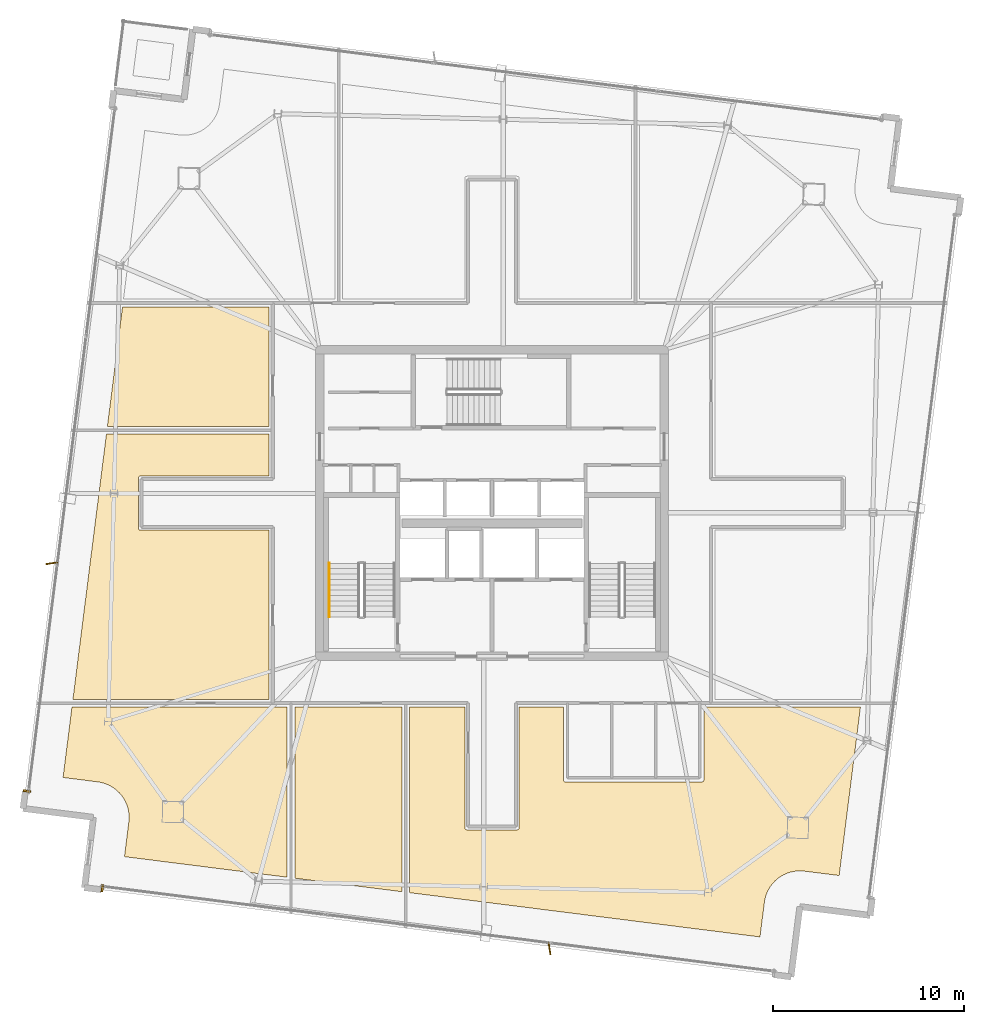
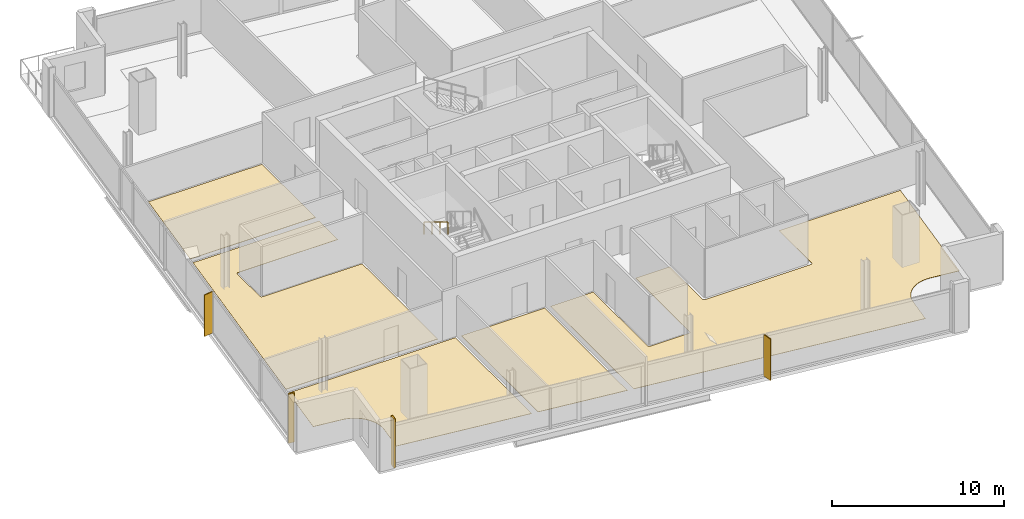
# One storey, part 21 of 23: 7 coverings, 2 shading devices, 1 railing.
"""IFC4 building model written with IfcOpenShell, lengths in metres."""

from ifc_helpers import new_model, si_unit, direction, frame, origin, origin_2d, place, context, subcontext, project, spatial, polyline, rectangle, outline, extrude, source, transform, mapped, material, layer, layer_set, type_object, element, save


model = new_model("IFC4")

# Units and contexts
model_context = context("Model", 3, precision=1e-05, world=origin(), true_north=direction((0.0, 1.0)))
body_context = subcontext(model_context, "Body", "Model", "MODEL_VIEW")
ifc_project = project(units=[si_unit("LENGTHUNIT", "METRE"), si_unit("AREAUNIT", "SQUARE_METRE"), si_unit("VOLUMEUNIT", "CUBIC_METRE"), si_unit("PLANEANGLEUNIT", "RADIAN"), si_unit("MASSUNIT", "GRAM", prefix="KILO")], contexts=[model_context])

# Site, building, storey
site_placement = place(None, origin())
site = spatial("IfcSite", under=ifc_project, at=site_placement, CompositionType="ELEMENT")
building_placement = place(site_placement, origin())
building = spatial("IfcBuilding", under=site, at=building_placement, Name="Haldenkirk Collegiate Tower", CompositionType="ELEMENT")
storey_placement = place(building_placement, frame((0.0, 0.0, 306.449951171875)))
storey = spatial("IfcBuildingStorey", under=building, at=storey_placement, Name="L77", CompositionType="ELEMENT", Elevation=306.449951171875)

# Coverings
ifc_material_1 = material(Name="Polished collegiate terrazzo", Category="concrete")
ifc_layer_1 = layer(ifc_material_1, 0.02490234375)
ifc_layer_set_1 = layer_set([ifc_layer_1], Name="Polished collegiate terrazzo")
covering_type_1 = type_object("IfcCoveringType", Name="COV-FLOOR-TERRAZZO", PredefinedType="FLOORING", material=ifc_layer_set_1)
covering_1_placement = place(storey_placement, origin())
element("IfcCovering", 1, at=covering_1_placement, inside=storey, type_object=covering_type_1, Name="L77 academic room finish 02", PredefinedType="FLOORING", context=body_context, shape_type="SweptSolid", body=[
    extrude(outline(polyline([(25.699951171875, 6.406494140625), (25.699951171875, 15.35009765625), (31.300048828125, 15.35009765625), (31.300048828125, 5.698974609375), (25.699951171875, 6.406494140625)])), origin(), (0.0, 0.0, 1.0), 0.025146484375),
])
covering_2_placement = place(storey_placement, origin())
element("IfcCovering", 2, at=covering_2_placement, inside=storey, type_object=covering_type_1, Name="L77 academic room finish 08", PredefinedType="FLOORING", context=body_context, shape_type="SweptSolid", body=[
    extrude(outline(polyline([(16.702392578125, 36.25), (24.35009765625, 36.25), (24.35009765625, 30.0), (15.912841796875, 30.0), (16.702392578125, 36.25)])), origin(), (0.0, 0.0, 1.0), 0.025146484375),
])
ifc_material_2 = material(Name="Engineered collegiate oak acoustic flooring", Category="wood")
ifc_layer_2 = layer(ifc_material_2, 0.02197265625)
ifc_layer_set_2 = layer_set([ifc_layer_2], Name="Engineered collegiate oak acoustic flooring")
covering_type_2 = type_object("IfcCoveringType", Name="COV-FLOOR-TIMBER", PredefinedType="FLOORING", material=ifc_layer_set_2)
covering_3_placement = place(storey_placement, origin())
element("IfcCovering", 3, at=covering_3_placement, inside=storey, type_object=covering_type_2, Name="L77 academic room finish 01", PredefinedType="FLOORING", context=body_context, shape_type="SweptSolid", body=[
    extrude(outline(polyline([(16.8037109375, 7.5302734375), (17.033203125, 9.345703125), (17.03369140625, 9.3515625), (17.046875, 9.52294921875), (17.047119140625, 9.53466796875), (17.04345703125, 9.706298828125), (17.04248046875, 9.718017578125), (17.022216796875, 9.888671875), (17.020263671875, 9.900146484375), (16.983154296875, 10.06787109375), (16.97998046875, 10.0791015625), (16.926513671875, 10.242431640625), (16.92236328125, 10.25341796875), (16.853271484375, 10.41064453125), (16.847900390625, 10.421142578125), (16.763916015625, 10.57080078125), (16.757568359375, 10.580810546875), (16.658935546875, 10.7216796875), (16.65185546875, 10.73095703125), (16.5400390625, 10.861083984375), (16.531982421875, 10.869873046875), (16.407958984375, 10.988525390625), (16.39892578125, 10.996337890625), (16.263916015625, 11.102294921875), (16.25439453125, 11.109130859375), (16.109619140625, 11.201416015625), (16.099365234375, 11.207275390625), (15.946044921875, 11.284912109375), (15.935302734375, 11.289794921875), (15.775390625, 11.35205078125), (15.76416015625, 11.355712890625), (15.5986328125, 11.402099609375), (15.58740234375, 11.40478515625), (15.418212890625, 11.4345703125), (15.412353515625, 11.435546875), (13.5966796875, 11.664794921875), (14.062255859375, 15.35009765625), (25.300048828125, 15.35009765625), (25.300048828125, 6.456787109375), (16.8037109375, 7.5302734375)])), origin(), (0.0, 0.0, 1.0), 0.02197265625),
])
covering_4_placement = place(storey_placement, origin())
element("IfcCovering", 4, at=covering_4_placement, inside=storey, type_object=covering_type_2, Name="L77 academic room finish 03", PredefinedType="FLOORING", context=body_context, shape_type="SweptSolid", body=[
    extrude(outline(polyline([(51.5966796875, 6.722900390625), (51.58544921875, 6.7197265625), (51.422119140625, 6.66650390625), (51.4111328125, 6.662109375), (51.25390625, 6.593017578125), (51.243408203125, 6.587890625), (51.09375, 6.503662109375), (51.083740234375, 6.497314453125), (50.943115234375, 6.39892578125), (50.933837890625, 6.3916015625), (50.803466796875, 6.27978515625), (50.794921875, 6.271728515625), (50.676025390625, 6.147705078125), (50.668212890625, 6.138916015625), (50.562255859375, 6.00390625), (50.555419921875, 5.994140625), (50.463134765625, 5.849365234375), (50.45751953125, 5.839111328125), (50.379638671875, 5.68603515625), (50.375, 5.67529296875), (50.3125, 5.51513671875), (50.308837890625, 5.50390625), (50.2626953125, 5.33837890625), (50.260009765625, 5.3271484375), (50.22998046875, 5.157958984375), (50.229248046875, 5.152099609375), (50.0, 3.336669921875), (31.699951171875, 5.6484375), (31.699951171875, 15.35009765625), (34.580078125, 15.35009765625), (34.580078125, 9.050048828125), (34.58056640625, 9.0380859375), (34.582275390625, 9.026611328125), (34.585205078125, 9.01513671875), (34.589111328125, 9.004150390625), (34.59423828125, 8.993408203125), (34.60009765625, 8.9833984375), (34.607177734375, 8.973876953125), (34.614990234375, 8.965087890625), (34.623779296875, 8.957275390625), (34.63330078125, 8.9501953125), (34.643310546875, 8.944091796875), (34.654052734375, 8.939208984375), (34.665283203125, 8.935302734375), (34.676513671875, 8.932373046875), (34.688232421875, 8.9306640625), (34.699951171875, 8.929931640625), (37.300048828125, 8.929931640625), (37.311767578125, 8.9306640625), (37.323486328125, 8.932373046875), (37.334716796875, 8.935302734375), (37.345947265625, 8.939208984375), (37.356689453125, 8.944091796875), (37.36669921875, 8.9501953125), (37.376220703125, 8.957275390625), (37.385009765625, 8.965087890625), (37.392822265625, 8.973876953125), (37.39990234375, 8.9833984375), (37.40576171875, 8.993408203125), (37.410888671875, 9.004150390625), (37.414794921875, 9.01513671875), (37.417724609375, 9.026611328125), (37.41943359375, 9.0380859375), (37.419921875, 9.050048828125), (37.419921875, 15.35009765625), (39.72998046875, 15.35009765625), (39.72998046875, 11.550048828125), (39.730712890625, 11.5380859375), (39.732421875, 11.526611328125), (39.735107421875, 11.51513671875), (39.739013671875, 11.504150390625), (39.744140625, 11.493408203125), (39.750244140625, 11.4833984375), (39.757080078125, 11.473876953125), (39.76513671875, 11.465087890625), (39.77392578125, 11.457275390625), (39.783203125, 11.4501953125), (39.79345703125, 11.444091796875), (39.80419921875, 11.439208984375), (39.815185546875, 11.435302734375), (39.82666015625, 11.432373046875), (39.838134765625, 11.4306640625), (39.85009765625, 11.429931640625), (46.949951171875, 11.429931640625), (46.9619140625, 11.4306640625), (46.973388671875, 11.432373046875), (46.98486328125, 11.435302734375), (46.995849609375, 11.439208984375), (47.006591796875, 11.444091796875), (47.0166015625, 11.4501953125), (47.026123046875, 11.457275390625), (47.034912109375, 11.465087890625), (47.042724609375, 11.473876953125), (47.0498046875, 11.4833984375), (47.055908203125, 11.493408203125), (47.060791015625, 11.504150390625), (47.064697265625, 11.51513671875), (47.067626953125, 11.526611328125), (47.0693359375, 11.5380859375), (47.070068359375, 11.550048828125), (47.070068359375, 15.35009765625), (55.2470703125, 15.35009765625), (54.134521484375, 6.543701171875), (52.31884765625, 6.773193359375), (52.31298828125, 6.773681640625), (52.141845703125, 6.786865234375), (52.1298828125, 6.787109375), (51.958251953125, 6.783447265625), (51.946533203125, 6.782470703125), (51.776123046875, 6.761962890625), (51.764404296875, 6.760009765625), (51.5966796875, 6.722900390625)])), origin(), (0.0, 0.0, 1.0), 0.02197265625),
])
covering_5_placement = place(storey_placement, origin())
element("IfcCovering", 5, at=covering_5_placement, inside=storey, type_object=covering_type_2, Name="L77 academic room finish 07", PredefinedType="FLOORING", context=body_context, shape_type="SweptSolid", body=[
    extrude(outline(polyline([(17.64990234375, 27.419921875), (17.63818359375, 27.41943359375), (17.626708984375, 27.417724609375), (17.615234375, 27.414794921875), (17.60400390625, 27.410888671875), (17.593505859375, 27.40576171875), (17.583251953125, 27.39990234375), (17.573974609375, 27.392822265625), (17.565185546875, 27.385009765625), (17.55712890625, 27.376220703125), (17.55029296875, 27.36669921875), (17.544189453125, 27.356689453125), (17.5390625, 27.345947265625), (17.53515625, 27.334716796875), (17.5322265625, 27.323486328125), (17.530517578125, 27.311767578125), (17.530029296875, 27.300048828125), (17.530029296875, 24.699951171875), (17.530517578125, 24.688232421875), (17.5322265625, 24.676513671875), (17.53515625, 24.665283203125), (17.5390625, 24.654052734375), (17.544189453125, 24.643310546875), (17.55029296875, 24.63330078125), (17.55712890625, 24.623779296875), (17.565185546875, 24.614990234375), (17.573974609375, 24.607177734375), (17.583251953125, 24.60009765625), (17.593505859375, 24.59423828125), (17.60400390625, 24.589111328125), (17.615234375, 24.585205078125), (17.626708984375, 24.582275390625), (17.63818359375, 24.58056640625), (17.64990234375, 24.580078125), (24.35009765625, 24.580078125), (24.35009765625, 15.75), (14.11279296875, 15.75), (15.8623046875, 29.60009765625), (24.35009765625, 29.60009765625), (24.35009765625, 27.419921875), (17.64990234375, 27.419921875)])), origin(), (0.0, 0.0, 1.0), 0.02197265625),
])

# Railing
ifc_material_3 = material(Name="Painted architectural tubular steel", Category="steel")
railing_type = type_object("IfcRailingType", Name="RLG-STAIR-HANDRAIL-900", PredefinedType="HANDRAIL", material=ifc_material_3)
railing_placement = place(storey_placement, frame((27.5, 22.85009765625, 2.04541015625)))
element("IfcRailing", 6, at=railing_placement, inside=storey, type_object=railing_type, Name="L77 ST-1 stair handrail 2", PredefinedType="HANDRAIL", context=body_context, shape_type="SweptSolid", body=[
    extrude(rectangle(XDim=0.048095703125, YDim=0.048095703125, at=origin_2d()), frame((0.0, 0.0, 0.8759765625), z_axis=(0.0, -0.854169791009, 0.51999420009), x_axis=(1.0, 0.0, 0.0)), (0.0, 0.0, 1.0), 3.278076171875),
    extrude(rectangle(XDim=0.0419921875, YDim=0.0419921875, at=origin_2d()), origin(), (0.0, 0.0, 1.0), 0.851806640625),
    extrude(rectangle(XDim=0.0419921875, YDim=0.0419921875, at=origin_2d()), frame((0.0, -0.933349609375, 0.568115234375)), (0.0, 0.0, 1.0), 0.851806640625),
    extrude(rectangle(XDim=0.0419921875, YDim=0.0419921875, at=origin_2d()), frame((0.0, -1.86669921875, 1.136474609375)), (0.0, 0.0, 1.0), 0.851806640625),
    extrude(rectangle(XDim=0.0419921875, YDim=0.0419921875, at=origin_2d()), frame((0.0, -2.800048828125, 1.70458984375)), (0.0, 0.0, 1.0), 0.851806640625),
])

# Coverings
ifc_material_4 = material(Name="Anodised architectural bronze aluminium", Category="aluminium")
ifc_layer_3 = layer(ifc_material_4, 0.06005859375)
ifc_layer_set_3 = layer_set([ifc_layer_3], Name="Anodised architectural bronze aluminium")
covering_type_3 = type_object("IfcCoveringType", Name="COV-CLAD-BRONZE-60", PredefinedType="CLADDING", material=ifc_layer_set_3)
shared_shape_1 = source(origin(), body_context, "Body", "SweptSolid", [
    extrude(rectangle(XDim=0.10009765625, YDim=0.3798828125, at=origin_2d()), origin(), (0.0, 0.0, 1.0), 3.489990234375),
])
for number, where, z_axis, x_axis, name in (
    (7, (11.712890625, 10.955322265625, 0.0), (0.0, 0.0, 1.0), (0.125333233564, 0.992114701314, 0.0), "L77 recessed curtain-wall bronze jamb closure NJL"),
    (8, (15.64794921875, 5.882080078125, 0.0), (0.0, 0.0, 1.0), (-0.992114701314, 0.125333233564, 0.0), "L77 recessed curtain-wall bronze jamb closure WJR"),
):
    element("IfcCovering", number, at=place(storey_placement, frame(where, z_axis=z_axis, x_axis=x_axis)), inside=storey, type_object=covering_type_3, Name=name, PredefinedType="CLADDING", context=body_context, shape_type="MappedRepresentation", body=[
        mapped(shared_shape_1, transform((0.0, 0.0, 0.0), x_axis=(1.0, 0.0, 0.0), y_axis=(0.0, 1.0, 0.0), z_axis=(0.0, 0.0, 1.0), scale=1.0)),
    ])

# Shading devices
ifc_layer_4 = layer(ifc_material_4, 0.06494140625)
ifc_layer_set_4 = layer_set([ifc_layer_4], Name="Anodised architectural bronze aluminium")
shading_device_type = type_object("IfcShadingDeviceType", Name="SHD-FIN-BRONZE-620", PredefinedType="USERDEFINED", material=ifc_layer_set_4)
shared_shape_2 = source(origin(), body_context, "Body", "SweptSolid", [
    extrude(rectangle(XDim=0.6201171875, YDim=0.06494140625, at=origin_2d()), origin(), (0.0, 0.0, 1.0), 2.947998046875),
])
for number, where, z_axis, x_axis, name in (
    (9, (13.009765625, 22.856689453125, 0.0), (0.0, 0.0, 1.0), (-0.988228381447, -0.152985836284, 0.0), "L77 folded bronze solar fin 1"),
    (10, (39.006591796875, 2.724609375, 0.0), (0.0, 0.0, 1.0), (0.152985836284, -0.988228381447, 0.0), "L77 folded bronze solar fin 1"),
):
    element("IfcShadingDevice", number, at=place(storey_placement, frame(where, z_axis=z_axis, x_axis=x_axis)), inside=storey, type_object=shading_device_type, Name=name, ObjectType="FIN", PredefinedType="USERDEFINED", context=body_context, shape_type="MappedRepresentation", body=[
        mapped(shared_shape_2, transform((0.0, 0.0, 0.0), x_axis=(1.0, 0.0, 0.0), y_axis=(0.0, 1.0, 0.0), z_axis=(0.0, 0.0, 1.0), scale=1.0)),
    ])

save(model, "model.ifc")
